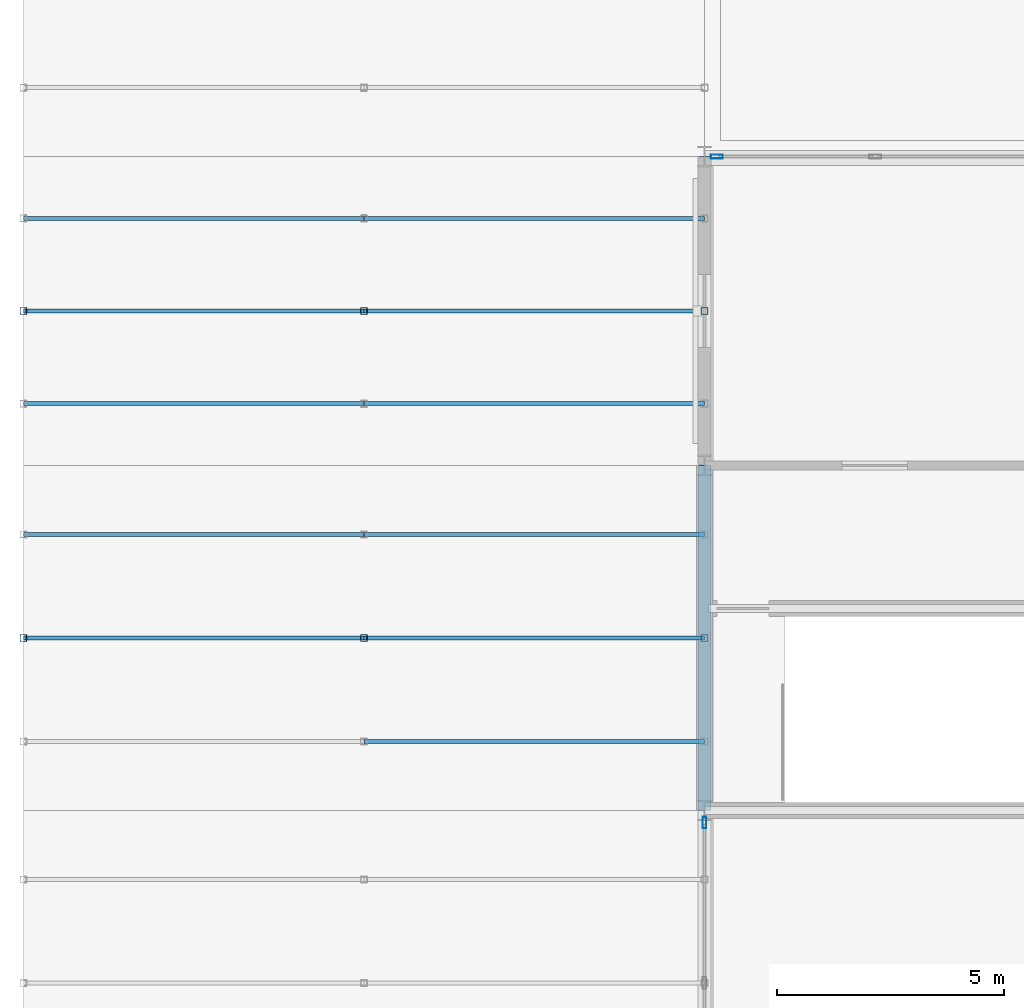
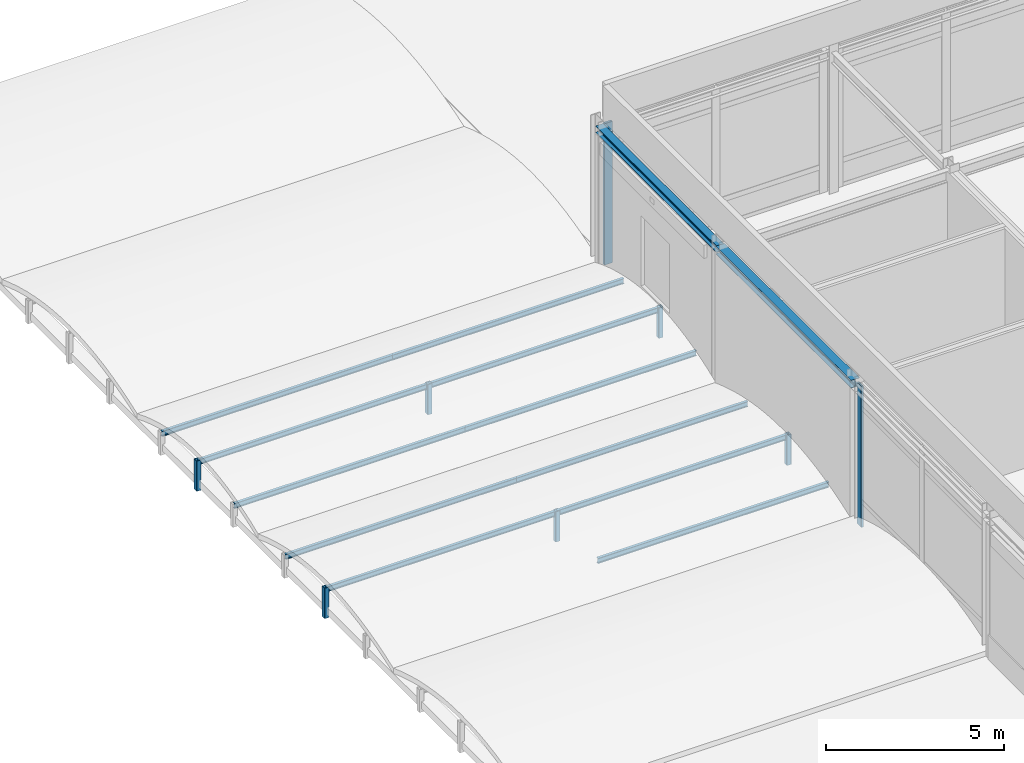
# One storey, part 39 of 113: 19 members, 2 beams, 2 elements without a shape of their own.
"""IFC4 building model written with IfcOpenShell, lengths in metres."""

from ifc_helpers import new_model, si_unit, direction, frame, origin, origin_2d, place, context, subcontext, project, spatial, hollow_rectangle, i_section, extrude, material, layer, layer_set, material_profile, profile_set, type_object, element, aggregate, save


model = new_model("IFC4")

# Units and contexts
model_context = context("Model", 3, precision=1e-05, world=origin(), true_north=direction((0.0, 1.0)))
body_context = subcontext(model_context, "Body", "Model", "MODEL_VIEW")
ifc_project = project(units=[si_unit("LENGTHUNIT", "METRE"), si_unit("AREAUNIT", "SQUARE_METRE"), si_unit("VOLUMEUNIT", "CUBIC_METRE"), si_unit("PLANEANGLEUNIT", "RADIAN"), si_unit("MASSUNIT", "GRAM", prefix="KILO")], contexts=[model_context])

# Site, building, storey
site_placement = place(None, origin())
site = spatial("IfcSite", under=ifc_project, at=site_placement, CompositionType="ELEMENT")
building_placement = place(site_placement, origin())
building = spatial("IfcBuilding", under=site, at=building_placement, Name="Shalkamar Park Central Library", CompositionType="ELEMENT")
storey_placement = place(building_placement, frame((0.0, 0.0, 5.39990234375)))
storey = spatial("IfcBuildingStorey", under=building, at=storey_placement, Name="L02", CompositionType="ELEMENT", Elevation=5.39990234375)

# Curtain wall, member
ifc_material_1 = material(Name="Thermally broken aluminium and triple low-e curtain wall", Category="aluminium")
ifc_layer_1 = layer(ifc_material_1, 0.25)
ifc_layer_set_1 = layer_set([ifc_layer_1], Name="UnitisedCurtainWall_22")
curtain_wall_type_1 = type_object("IfcCurtainWallType", Name="Unitised Curtain Wall 22", PredefinedType="USERDEFINED", material=ifc_layer_set_1)
curtain_wall_1_placement = place(storey_placement, origin())
curtain_wall_1 = element("IfcCurtainWall", 1, at=curtain_wall_1_placement, inside=storey, type_object=curtain_wall_type_1, Name="Unitised Curtain Wall CW-L02-042", ObjectType="UNITISED CURTAIN WALL", PredefinedType="USERDEFINED")
ifc_material_2 = material(Name="Aluminium 6060-T66", Category="aluminium")
ifc_material_profile_1 = material_profile(ifc_material_2, hollow_rectangle(XDim=0.074951171875, YDim=0.25, WallThickness=0.00390625, InnerFilletRadius=0.00390625, OuterFilletRadius=0.006103515625, at=origin_2d()), Name="ALU 75x250x4")
ifc_profile_set_1 = profile_set([ifc_material_profile_1], Name="Aluminium 6060-T66")
member_type_1 = type_object("IfcMemberType", Name="Curtain Wall Mullion ALU75x250", PredefinedType="MULLION", material=ifc_profile_set_1)
member_1_placement = place(storey_placement, frame((135.0, 323.33349609375, 0.0), z_axis=(0.0, 0.0, 1.0), x_axis=(-1.0, 0.0, 0.0)))
member_1 = element("IfcMember", 2, at=member_1_placement, type_object=member_type_1, Name="CW-22 mullion 3", PredefinedType="MULLION", context=body_context, shape_type="SweptSolid", body=[
    extrude(hollow_rectangle(XDim=0.074951171875, YDim=0.25, WallThickness=0.00390625, InnerFilletRadius=0.00390625, OuterFilletRadius=0.006103515625, at=origin_2d()), origin(), (0.0, 0.0, 1.0), 4.85009765625),
])
aggregate(curtain_wall_1, [member_1])

ifc_layer_2 = layer(ifc_material_1, 0.264892578125)
ifc_layer_set_2 = layer_set([ifc_layer_2], Name="UnitisedCurtainWall_20")
curtain_wall_type_2 = type_object("IfcCurtainWallType", Name="Unitised Curtain Wall 20", PredefinedType="USERDEFINED", material=ifc_layer_set_2)
curtain_wall_2_placement = place(storey_placement, origin())
curtain_wall_2 = element("IfcCurtainWall", 3, at=curtain_wall_2_placement, inside=storey, type_object=curtain_wall_type_2, Name="Unitised Curtain Wall CW-L02-022", ObjectType="UNITISED CURTAIN WALL", PredefinedType="USERDEFINED")
ifc_material_profile_2 = material_profile(ifc_material_2, hollow_rectangle(XDim=0.0849609375, YDim=0.264892578125, WallThickness=0.0048828125, InnerFilletRadius=0.0048828125, OuterFilletRadius=0.007568359375, at=origin_2d()), Name="ALU 85x265x5")
ifc_profile_set_2 = profile_set([ifc_material_profile_2], Name="Aluminium 6060-T66")
member_type_2 = type_object("IfcMemberType", Name="Curtain Wall Mullion ALU85x265", PredefinedType="MULLION", material=ifc_profile_set_2)
member_2_placement = place(storey_placement, frame((135.271484375, 338.0, 0.0), z_axis=(0.0, 0.0, 1.0), x_axis=(0.0, 1.0, 0.0)))
member_2 = element("IfcMember", 4, at=member_2_placement, type_object=member_type_2, Name="CW-20 mullion 1", PredefinedType="MULLION", context=body_context, shape_type="SweptSolid", body=[
    extrude(hollow_rectangle(XDim=0.0849609375, YDim=0.264892578125, WallThickness=0.0048828125, InnerFilletRadius=0.0048828125, OuterFilletRadius=0.007568359375, at=origin_2d()), origin(), (0.0, 0.0, 1.0), 4.85009765625),
])
aggregate(curtain_wall_2, [member_2])

# Members
ifc_material_3 = material(Name="Steel S355", Category="steel")
ifc_material_profile_3 = material_profile(ifc_material_3, hollow_rectangle(XDim=0.14990234375, YDim=0.14990234375, WallThickness=0.008056640625, InnerFilletRadius=0.008056640625, OuterFilletRadius=0.011962890625, at=origin_2d()), Name="SHS 150x150x8")
ifc_profile_set_3 = profile_set([ifc_material_profile_3], Name="Steel S355")
member_type_3 = type_object("IfcMemberType", Name="Diagonal Brace SHS150", PredefinedType="BRACE", material=ifc_profile_set_3)
for number, where, z_axis, x_axis, name in (
    (5, (120.0, 327.39990234375, -0.35986328125), (0.0, 0.0, 1.0), (1.0, 0.0, 0.0), "Vault Arch Post BV-L01-W9-01.2"),
    (6, (127.5, 327.39990234375, -0.35986328125), (0.0, 0.0, 1.0), (1.0, 0.0, 0.0), "Vault Arch Post BV-L01-W9-02.2"),
    (7, (135.0, 327.39990234375, -0.35986328125), (0.0, 0.0, 1.0), (1.0, 0.0, 0.0), "Vault Arch Post BV-L01-W9-03.2"),
    (8, (120.0, 334.60009765625, -0.35986328125), (0.0, 0.0, 1.0), (1.0, 0.0, 0.0), "Vault Arch Post BV-L01-W10-01.2"),
    (9, (127.5, 334.60009765625, -0.35986328125), (0.0, 0.0, 1.0), (1.0, 0.0, 0.0), "Vault Arch Post BV-L01-W10-02.2"),
    (10, (135.0, 334.60009765625, -0.35986328125), (0.0, 0.0, 1.0), (1.0, 0.0, 0.0), "Vault Arch Post BV-L01-W10-03.2"),
):
    element("IfcMember", number, at=place(storey_placement, frame(where, z_axis=z_axis, x_axis=x_axis)), inside=storey, type_object=member_type_3, Name=name, PredefinedType="BRACE", context=body_context, shape_type="SweptSolid", body=[
        extrude(hollow_rectangle(XDim=0.14990234375, YDim=0.14990234375, WallThickness=0.008056640625, InnerFilletRadius=0.008056640625, OuterFilletRadius=0.011962890625, at=origin_2d()), origin(), (0.0, 0.0, 1.0), 1.0400390625),
    ])

# Beams
ifc_material_profile_4 = material_profile(ifc_material_3, i_section(OverallWidth=0.239990234375, OverallDepth=0.22998046875, WebThickness=0.007568359375, FlangeThickness=0.011962890625, FilletRadius=0.02099609375, at=origin_2d()), Name="HEA 240")
ifc_profile_set_4 = profile_set([ifc_material_profile_4], Name="Steel S355")
beam_type_1 = type_object("IfcBeamType", Name="Perimeter Spandrel Beam HEA240", PredefinedType="SPANDREL", material=ifc_profile_set_4)
beam_1_placement = place(storey_placement, frame((135.0, 331.199951171875, 4.735107421875), z_axis=(0.0, 1.0, 0.0), x_axis=(-1.0, 0.0, 0.0)))
element("IfcBeam", 11, at=beam_1_placement, inside=storey, type_object=beam_type_1, Name="Beam 03:N-P (L02)", PredefinedType="SPANDREL", context=body_context, shape_type="SweptSolid", body=[
    extrude(i_section(OverallWidth=0.239990234375, OverallDepth=0.22998046875, WebThickness=0.007568359375, FlangeThickness=0.011962890625, FilletRadius=0.02099609375, at=origin_2d()), origin(), (0.0, 0.0, 1.0), 6.800048828125),
])
ifc_material_profile_5 = material_profile(ifc_material_3, i_section(OverallWidth=0.280029296875, OverallDepth=0.27001953125, WebThickness=0.008056640625, FlangeThickness=0.012939453125, FilletRadius=0.02392578125, at=origin_2d()), Name="HEA 280")
ifc_profile_set_5 = profile_set([ifc_material_profile_5], Name="Steel S355")
beam_type_2 = type_object("IfcBeamType", Name="Perimeter Spandrel Beam HEA280", PredefinedType="SPANDREL", material=ifc_profile_set_5)
beam_2_placement = place(storey_placement, frame((135.0, 323.60009765625, 4.715087890625), z_axis=(0.0, 1.0, 0.0), x_axis=(-1.0, 0.0, 0.0)))
element("IfcBeam", 12, at=beam_2_placement, inside=storey, type_object=beam_type_2, Name="Beam 03:M-N (L02)", PredefinedType="SPANDREL", context=body_context, shape_type="SweptSolid", body=[
    extrude(i_section(OverallWidth=0.280029296875, OverallDepth=0.27001953125, WebThickness=0.008056640625, FlangeThickness=0.012939453125, FilletRadius=0.02392578125, at=origin_2d()), origin(), (0.0, 0.0, 1.0), 7.599853515625),
])

# Members
ifc_material_profile_6 = material_profile(ifc_material_3, i_section(OverallWidth=0.091064453125, OverallDepth=0.179931640625, WebThickness=0.00537109375, FlangeThickness=0.008056640625, FilletRadius=0.009033203125, at=origin_2d()), Name="IPE 180")
ifc_profile_set_6 = profile_set([ifc_material_profile_6], Name="Steel S355")
member_type_4 = type_object("IfcMemberType", Name="Roof Purlin IPE180", PredefinedType="PURLIN", material=ifc_profile_set_6)
for number, where, z_axis, x_axis, name in (
    (13, (127.5, 325.1201171875, 0.330810546875), (1.0, 0.0, 0.0), (0.0, 1.0, 0.0), "Barrel Roof Purlin BV-L01-W9-1.02"),
    (14, (120.0, 327.39990234375, 0.590087890625), (1.0, 0.0, 0.0), (0.0, 1.0, 0.0), "Barrel Roof Purlin BV-L01-W9-2.01"),
    (15, (127.5, 327.39990234375, 0.590087890625), (1.0, 0.0, 0.0), (0.0, 1.0, 0.0), "Barrel Roof Purlin BV-L01-W9-2.02"),
    (16, (120.0, 329.679931640625, 0.330810546875), (1.0, 0.0, 0.0), (0.0, 1.0, 0.0), "Barrel Roof Purlin BV-L01-W9-3.01"),
    (17, (127.5, 329.679931640625, 0.330810546875), (1.0, 0.0, 0.0), (0.0, 1.0, 0.0), "Barrel Roof Purlin BV-L01-W9-3.02"),
    (18, (120.0, 332.56005859375, 0.330810546875), (1.0, 0.0, 0.0), (0.0, 1.0, 0.0), "Barrel Roof Purlin BV-L01-W10-1.01"),
    (19, (127.5, 332.56005859375, 0.330810546875), (1.0, 0.0, 0.0), (0.0, 1.0, 0.0), "Barrel Roof Purlin BV-L01-W10-1.02"),
    (20, (120.0, 334.60009765625, 0.590087890625), (1.0, 0.0, 0.0), (0.0, 1.0, 0.0), "Barrel Roof Purlin BV-L01-W10-2.01"),
    (21, (127.5, 334.60009765625, 0.590087890625), (1.0, 0.0, 0.0), (0.0, 1.0, 0.0), "Barrel Roof Purlin BV-L01-W10-2.02"),
    (22, (120.0, 336.639892578125, 0.330810546875), (1.0, 0.0, 0.0), (0.0, 1.0, 0.0), "Barrel Roof Purlin BV-L01-W10-3.01"),
    (23, (127.5, 336.639892578125, 0.330810546875), (1.0, 0.0, 0.0), (0.0, 1.0, 0.0), "Barrel Roof Purlin BV-L01-W10-3.02"),
):
    element("IfcMember", number, at=place(storey_placement, frame(where, z_axis=z_axis, x_axis=x_axis)), inside=storey, type_object=member_type_4, Name=name, PredefinedType="PURLIN", context=body_context, shape_type="SweptSolid", body=[
        extrude(i_section(OverallWidth=0.091064453125, OverallDepth=0.179931640625, WebThickness=0.00537109375, FlangeThickness=0.008056640625, FilletRadius=0.009033203125, at=origin_2d()), origin(), (0.0, 0.0, 1.0), 7.5),
    ])

save(model, "model.ifc")
